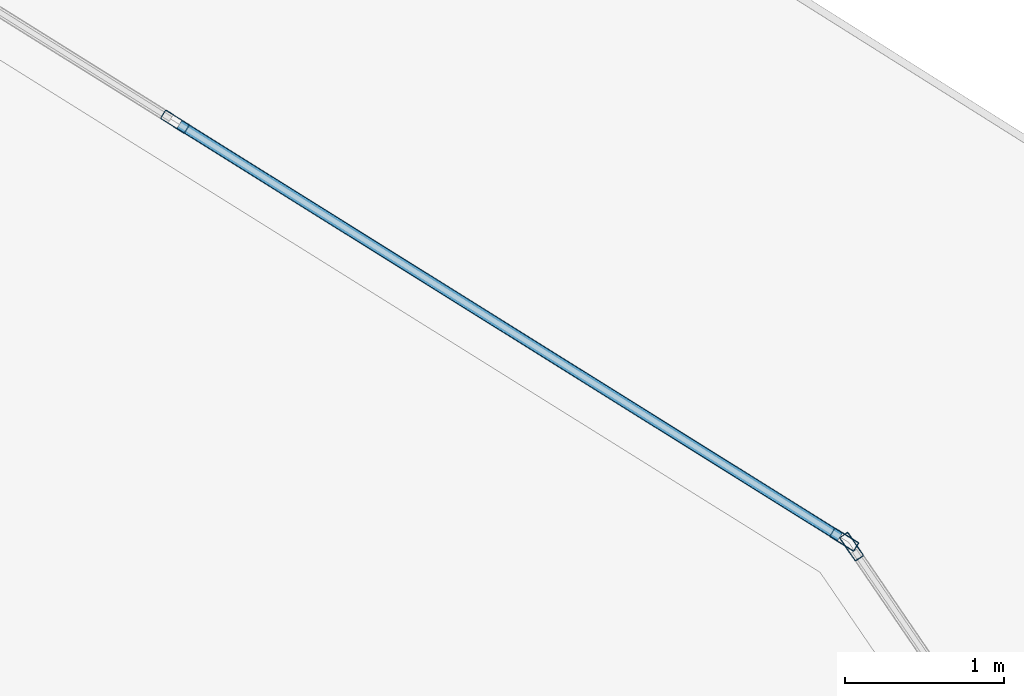
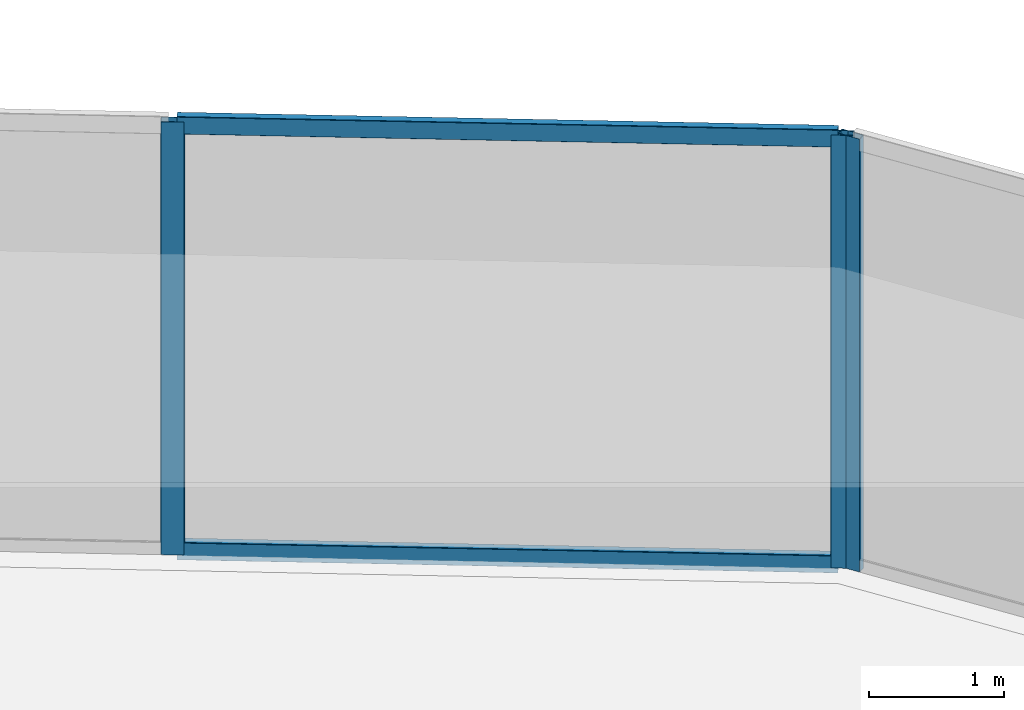
# One storey, part 22 of 45: 5 members, 2 elements without a shape of their own.
"""IFC4 building model written with IfcOpenShell, lengths in metres."""

import ifcopenshell
import ifcopenshell.guid

model = None  # the IFC model being written
_history = None  # IfcOwnerHistory: only IFC2X3 demands one
_inside = {}  # id of a spatial element -> (the spatial element, [elements in it])
_under = {}  # id of a project, library or spatial element -> (it, [spatial elements below it])
_declared = {}  # id of a project -> (the project, [libraries it declares])
_typed = {}  # id of a type object -> (the type object, [elements of that type])
_made_of = {}  # id of a material, layer set ... -> (it, [elements and type objects made of it])


def new_model(schema):
    """Start an empty IFC model of exactly this schema.

    Asked for "IFC4X3", IfcOpenShell would pick the latest addendum, in which some entities
    have other attributes; the version numbers below select the first issue.
    IFC2X3 requires an IfcOwnerHistory on every rooted entity: one is made here for all.
    """
    global model, _history
    if schema == "IFC4X3":
        model = ifcopenshell.file(schema_version=(4, 3, 0, 0))
    else:
        model = ifcopenshell.file(schema=schema)
    _inside.clear()
    _under.clear()
    _declared.clear()
    _typed.clear()
    _made_of.clear()
    _history = None
    if model.schema == "IFC2X3":
        org = make("IfcOrganization", Name="unknown")
        user = make(
            "IfcPersonAndOrganization",
            ThePerson=make("IfcPerson", FamilyName="unknown"),
            TheOrganization=org,
        )
        app = make(
            "IfcApplication",
            ApplicationDeveloper=org,
            Version="unknown",
            ApplicationFullName="unknown",
            ApplicationIdentifier="unknown",
        )
        _history = make(
            "IfcOwnerHistory",
            OwningUser=user,
            OwningApplication=app,
            ChangeAction="ADDED",
            CreationDate=0,
        )
    return model


def make(cls, **values):
    """One entity of the class cls with the attributes given. An attribute that is None is left unset."""
    return model.create_entity(
        cls, **{name: value for name, value in values.items() if value is not None}
    )


def rooted(cls, **values):
    """An entity with a GlobalId (a new one), such as an element, a storey or a relation."""
    return make(cls, GlobalId=ifcopenshell.guid.new(), OwnerHistory=_history, **values)


def si_unit(unit_type, name, prefix=None):
    """IfcSIUnit, for example si_unit("LENGTHUNIT", "METRE", prefix="MILLI")."""
    return make("IfcSIUnit", UnitType=unit_type, Prefix=prefix, Name=name)


def assignment(units):
    """IfcUnitAssignment: the units of a project."""
    return None if units is None else make("IfcUnitAssignment", Units=units)


def point(xyz):
    """IfcCartesianPoint."""
    return None if xyz is None else make("IfcCartesianPoint", Coordinates=xyz)


def direction(xyz):
    """IfcDirection."""
    return None if xyz is None else make("IfcDirection", DirectionRatios=xyz)


def frame(location, z_axis=None, x_axis=None):
    """IfcAxis2Placement3D, a coordinate frame: its origin and axes. An axis left out is left unset."""
    return make(
        "IfcAxis2Placement3D",
        Location=point(location),
        Axis=direction(z_axis),
        RefDirection=direction(x_axis),
    )


def frame_2d(location, x_axis=None):
    """IfcAxis2Placement2D, a coordinate frame in the plane: its origin and x axis."""
    return make(
        "IfcAxis2Placement2D", Location=point(location), RefDirection=direction(x_axis)
    )


def origin():
    """The frame at (0, 0, 0) with its axes left unset."""
    return frame((0.0, 0.0, 0.0))


def origin_2d():
    """The frame at (0, 0) in the plane with its x axis left unset."""
    return frame_2d((0.0, 0.0))


def place(relative_to, where):
    """IfcLocalPlacement: puts the frame where relative to a parent placement (None: the world)."""
    return make(
        "IfcLocalPlacement", PlacementRelTo=relative_to, RelativePlacement=where
    )


def context(
    kind, dimensions, precision=None, world=None, true_north=None, identifier=None
):
    """IfcGeometricRepresentationContext, for example the 3D "Model" context."""
    return make(
        "IfcGeometricRepresentationContext",
        ContextIdentifier=identifier,
        ContextType=kind,
        CoordinateSpaceDimension=dimensions,
        Precision=precision,
        WorldCoordinateSystem=world,
        TrueNorth=true_north,
    )


def subcontext(parent, identifier, kind, view, scale=None):
    """IfcGeometricRepresentationSubContext, for example "Body" below "Model"."""
    return make(
        "IfcGeometricRepresentationSubContext",
        ContextIdentifier=identifier,
        ContextType=kind,
        ParentContext=parent,
        TargetScale=scale,
        TargetView=view,
    )


def project(units=None, contexts=None):
    """IfcProject with its units and contexts."""
    return rooted(
        "IfcProject",
        Name="project",
        RepresentationContexts=contexts,
        UnitsInContext=assignment(units),
    )


def spatial(cls, under=None, at=None, **own):
    """A site, building, storey or space (cls), placed at a placement, below another one or the project."""
    s = rooted(cls, ObjectPlacement=at, **own)
    if under is not None:
        _under.setdefault(under.id(), (under, []))[1].append(s)
    return s


def profile(cls, at=None, kind="AREA", **sizes):
    """A parametric profile (cls). Its sizes go by their IFC names, for example OverallWidth=200.0."""
    return make(cls, ProfileType=kind, Position=at, **sizes)


def hollow_rectangle(**sizes):
    """IfcRectangleHollowProfileDef."""
    return profile("IfcRectangleHollowProfileDef", **sizes)


def extrude(swept, where, along, depth):
    """IfcExtrudedAreaSolid: the profile swept, set in the frame where, extruded along a direction by depth."""
    return make(
        "IfcExtrudedAreaSolid",
        SweptArea=swept,
        Position=where,
        ExtrudedDirection=direction(along),
        Depth=depth,
    )


def shape(context_of_items, identifier, shape_type, items):
    """IfcShapeRepresentation: the items that make up one representation, for example the "Body"."""
    return make(
        "IfcShapeRepresentation",
        ContextOfItems=context_of_items,
        RepresentationIdentifier=identifier,
        RepresentationType=shape_type,
        Items=items,
    )


def material(Name=None, Category=None):
    """IfcMaterial."""
    return make("IfcMaterial", Name=Name, Category=Category)


def layer(
    of_material, thickness, ventilated=None, Name=None, Category=None, Priority=None
):
    """IfcMaterialLayer: one layer of a wall or slab, of a material (None: an air gap)."""
    return make(
        "IfcMaterialLayer",
        Material=of_material,
        LayerThickness=thickness,
        IsVentilated=ventilated,
        Name=Name,
        Category=Category,
        Priority=Priority,
    )


def layer_set(layers, Name=None):
    """IfcMaterialLayerSet."""
    return make("IfcMaterialLayerSet", MaterialLayers=layers, LayerSetName=Name)


def material_profile(
    of_material, cross_section, Name=None, Category=None, Priority=None
):
    """IfcMaterialProfile: a cross section and its material."""
    return make(
        "IfcMaterialProfile",
        Name=Name,
        Material=of_material,
        Profile=cross_section,
        Priority=Priority,
        Category=Category,
    )


def profile_set(profiles, Name=None, composite=None):
    """IfcMaterialProfileSet."""
    return make(
        "IfcMaterialProfileSet",
        Name=Name,
        MaterialProfiles=profiles,
        CompositeProfile=composite,
    )


def made_of(thing, what):
    """Note that an element or type object is made of a material, layer set ...; save() writes the relation."""
    if what is not None:
        _made_of.setdefault(what.id(), (what, []))[1].append(thing)
    return thing


def type_object(cls, material=None, **own):
    """A type object (cls), such as IfcWallType, which elements share."""
    return made_of(rooted(cls, **own), material)


def element(
    cls,
    number,
    at=None,
    inside=None,
    cuts=None,
    type_object=None,
    material=None,
    context=None,
    identifier="Body",
    shape_type=None,
    held_by="IfcProductDefinitionShape",
    body=None,
    shapes=None,
    **own,
):
    """One element of the class cls, such as IfcWall. Its Tag is "e" and its number.

    at: its placement. inside: the storey or other place that contains it. cuts: it is an
    opening in that element (IfcRelVoidsElement). A single representation is given by context,
    identifier, shape_type and body (its items); several are given by shapes. held_by: the class
    of the entity that holds the representations. save() writes the other relations.
    """
    e = rooted(cls, Tag="e%d" % number, ObjectPlacement=at, **own)
    if body is not None:
        shapes = [shape(context, identifier, shape_type, body)]
    if shapes is not None:
        e.Representation = make(held_by, Representations=shapes)
    if inside is not None:
        _inside.setdefault(inside.id(), (inside, []))[1].append(e)
    if cuts is not None:
        rooted(
            "IfcRelVoidsElement", RelatingBuildingElement=cuts, RelatedOpeningElement=e
        )
    if type_object is not None:
        _typed.setdefault(type_object.id(), (type_object, []))[1].append(e)
    return made_of(e, material)


def aggregate(whole, parts):
    """IfcRelAggregates: a whole, such as a stair, and the parts it consists of."""
    return rooted("IfcRelAggregates", RelatingObject=whole, RelatedObjects=parts)


def save(model, path):
    """Write the relations noted so far, then the file.

    IfcRelAggregates (storeys below a building ...), IfcRelContainedInSpatialStructure (elements
    in a storey), IfcRelDefinesByType, IfcRelAssociatesMaterial and IfcRelDeclares: one each for
    every whole, place, type object, material and project.
    """
    for whole, parts in _under.values():
        aggregate(whole, parts)
    for where, things in _inside.values():
        rooted(
            "IfcRelContainedInSpatialStructure",
            RelatedElements=things,
            RelatingStructure=where,
        )
    for kind, things in _typed.values():
        rooted("IfcRelDefinesByType", RelatedObjects=things, RelatingType=kind)
    for what, things in _made_of.values():
        rooted("IfcRelAssociatesMaterial", RelatedObjects=things, RelatingMaterial=what)
    for by, libraries in _declared.values():
        rooted("IfcRelDeclares", RelatingContext=by, RelatedDefinitions=libraries)
    model.write(path)


model = new_model("IFC4")

# Units and contexts
model_context = context("Model", 3, precision=1e-05, world=origin(), true_north=direction((0.0, 1.0)))
body_context = subcontext(model_context, "Body", "Model", "MODEL_VIEW")
ifc_project = project(units=[si_unit("LENGTHUNIT", "METRE"), si_unit("AREAUNIT", "SQUARE_METRE"), si_unit("VOLUMEUNIT", "CUBIC_METRE"), si_unit("PLANEANGLEUNIT", "RADIAN"), si_unit("MASSUNIT", "GRAM", prefix="KILO")], contexts=[model_context])

# Site, building, storey
site_placement = place(None, origin())
site = spatial("IfcSite", under=ifc_project, at=site_placement, CompositionType="ELEMENT")
building_placement = place(site_placement, origin())
building = spatial("IfcBuilding", under=site, at=building_placement, Name="Qorvath Tower", CompositionType="ELEMENT")
storey_placement = place(building_placement, frame((0.0, 0.0, 49.199951171875)))
storey = spatial("IfcBuildingStorey", under=building, at=storey_placement, Name="L10", CompositionType="ELEMENT", Elevation=49.199951171875)

# Curtain wall, member
ifc_material_1 = material(Name="Anodised aluminium and triple low-E glass", Category="aluminium")
ifc_layer = layer(ifc_material_1, 0.179931640625)
ifc_layer_set = layer_set([ifc_layer], Name="CW-SYS-2")
curtain_wall_type = type_object("IfcCurtainWallType", Name="CW-SYS-2", PredefinedType="NOTDEFINED", material=ifc_layer_set)
curtain_wall_1_placement = place(storey_placement, origin())
curtain_wall_1 = element("IfcCurtainWall", 1, at=curtain_wall_1_placement, inside=storey, type_object=curtain_wall_type, Name="Curtain Wall CW-2 CW-T-L10-13.1", PredefinedType="NOTDEFINED")
ifc_material_2 = material(Name="Anodised aluminium 6063-T6", Category="aluminium")
ifc_material_profile_1 = material_profile(ifc_material_2, hollow_rectangle(XDim=0.06494140625, YDim=0.179931640625, WallThickness=0.00341796875, InnerFilletRadius=0.00341796875, OuterFilletRadius=0.007080078125, at=origin_2d()), Name="CWM 180x65")
ifc_profile_set_1 = profile_set([ifc_material_profile_1], Name="Anodised aluminium 6063-T6")
member_type_1 = type_object("IfcMemberType", Name="CWM-180", PredefinedType="MULLION", material=ifc_profile_set_1)
member_1_placement = place(storey_placement, frame((-1.5859375, 25.69384765625, 0.0), z_axis=(0.0, 0.0, 1.0), x_axis=(-0.825849008834, -0.563891314535, 0.0)))
member_1 = element("IfcMember", 2, at=member_1_placement, type_object=member_type_1, Name="CW-2 mullion 2", PredefinedType="MULLION", context=body_context, shape_type="SweptSolid", body=[
    extrude(hollow_rectangle(XDim=0.06494140625, YDim=0.179931640625, WallThickness=0.00341796875, InnerFilletRadius=0.00341796875, OuterFilletRadius=0.007080078125, at=origin_2d()), origin(), (0.0, 0.0, 1.0), 3.920166015625),
])
aggregate(curtain_wall_1, [member_1])

# Curtain wall, members
curtain_wall_2_placement = place(storey_placement, origin())
curtain_wall_2 = element("IfcCurtainWall", 3, at=curtain_wall_2_placement, inside=storey, type_object=curtain_wall_type, Name="Curtain Wall CW-2 CW-T-L10-14.1", PredefinedType="NOTDEFINED")
member_2_placement = place(storey_placement, frame((-1.6318359375, 25.738037109375, 0.0), z_axis=(0.0, 0.0, 1.0), x_axis=(-0.529724040691, -0.848170054125, 0.0)))
member_2 = element("IfcMember", 4, at=member_2_placement, type_object=member_type_1, Name="CW-2 mullion 1", PredefinedType="MULLION", context=body_context, shape_type="SweptSolid", body=[
    extrude(hollow_rectangle(XDim=0.06494140625, YDim=0.179931640625, WallThickness=0.00341796875, InnerFilletRadius=0.00341796875, OuterFilletRadius=0.007080078125, at=origin_2d()), origin(), (0.0, 0.0, 1.0), 3.920166015625),
])
member_3_placement = place(storey_placement, frame((-5.847900390625, 28.37109375, 0.0), z_axis=(0.0, 0.0, 1.0), x_axis=(-0.529724040691, -0.848170054125, 0.0)))
member_3 = element("IfcMember", 5, at=member_3_placement, type_object=member_type_1, Name="CW-2 mullion 2", PredefinedType="MULLION", context=body_context, shape_type="SweptSolid", body=[
    extrude(hollow_rectangle(XDim=0.06494140625, YDim=0.179931640625, WallThickness=0.00341796875, InnerFilletRadius=0.00341796875, OuterFilletRadius=0.007080078125, at=origin_2d()), origin(), (0.0, 0.0, 1.0), 3.920166015625),
])
ifc_material_3 = material(Name="Anodised aluminium 6063-T6", Category="aluminium")
ifc_material_profile_2 = material_profile(ifc_material_3, hollow_rectangle(XDim=0.06494140625, YDim=0.159912109375, WallThickness=0.00341796875, InnerFilletRadius=0.00341796875, OuterFilletRadius=0.007080078125, at=origin_2d()), Name="CWT 160x65")
ifc_profile_set_2 = profile_set([ifc_material_profile_2], Name="Anodised aluminium 6063-T6")
member_type_2 = type_object("IfcMemberType", Name="CWT-160", PredefinedType="USERDEFINED", material=ifc_profile_set_2)
member_4_placement = place(storey_placement, frame((-1.659423828125, 25.755126953125, 0.032470703125), z_axis=(-0.848152037868, 0.529752886411, 0.0), x_axis=(-0.529752886411, -0.848152037868, 0.0)))
member_4 = element("IfcMember", 6, at=member_4_placement, type_object=member_type_2, Name="CW-2 transom 1.1", ObjectType="TRANSOM", PredefinedType="USERDEFINED", context=body_context, shape_type="SweptSolid", body=[
    extrude(hollow_rectangle(XDim=0.06494140625, YDim=0.159912109375, WallThickness=0.00341796875, InnerFilletRadius=0.00341796875, OuterFilletRadius=0.007080078125, at=origin_2d()), origin(), (0.0, 0.0, 1.0), 4.90576171875),
])
member_5_placement = place(storey_placement, frame((-1.659423828125, 25.755126953125, 3.8876953125), z_axis=(-0.848152037868, 0.529752886411, 0.0), x_axis=(-0.529752886411, -0.848152037868, 0.0)))
member_5 = element("IfcMember", 7, at=member_5_placement, type_object=member_type_2, Name="CW-2 transom 1.2", ObjectType="TRANSOM", PredefinedType="USERDEFINED", context=body_context, shape_type="SweptSolid", body=[
    extrude(hollow_rectangle(XDim=0.06494140625, YDim=0.159912109375, WallThickness=0.00341796875, InnerFilletRadius=0.00341796875, OuterFilletRadius=0.007080078125, at=origin_2d()), origin(), (0.0, 0.0, 1.0), 4.90576171875),
])
aggregate(curtain_wall_2, [member_2, member_3, member_4, member_5])

save(model, "model.ifc")
